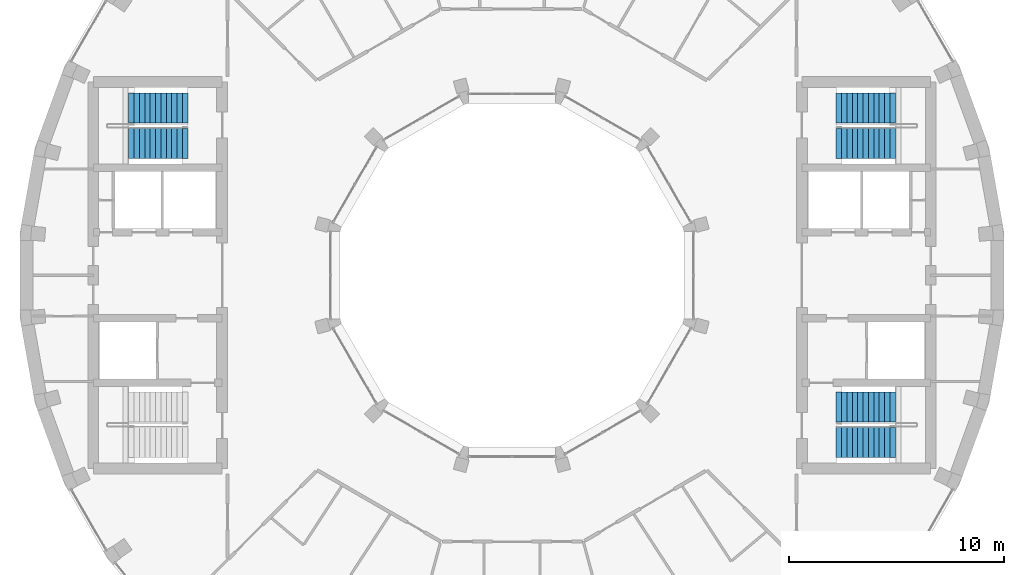
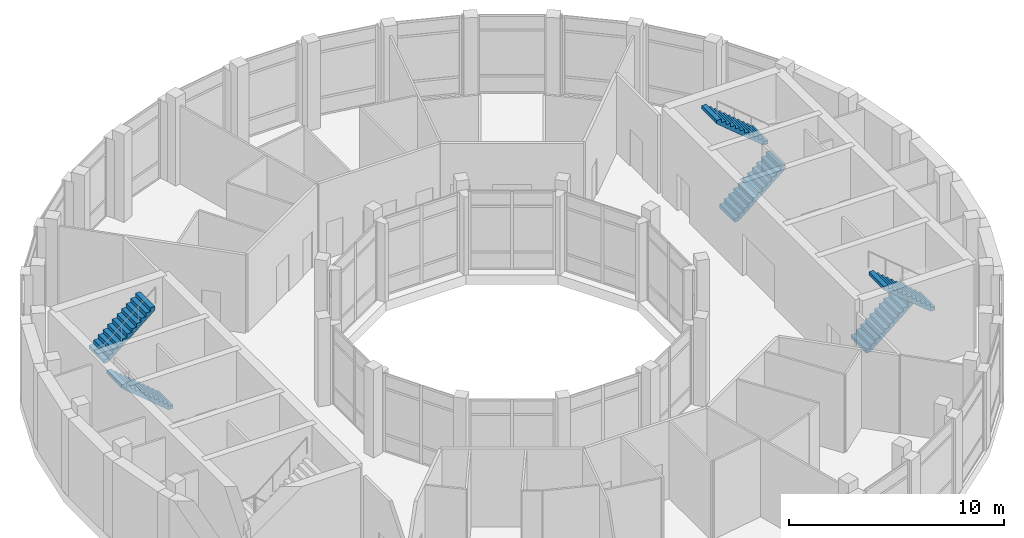
# One storey, part 15 of 16: 6 stair flights, 3 elements without a shape of their own.
"""IFC4 building model written with IfcOpenShell, lengths in metres."""

import ifcopenshell
import ifcopenshell.guid

model = None  # the IFC model being written
_history = None  # IfcOwnerHistory: only IFC2X3 demands one
_inside = {}  # id of a spatial element -> (the spatial element, [elements in it])
_under = {}  # id of a project, library or spatial element -> (it, [spatial elements below it])
_declared = {}  # id of a project -> (the project, [libraries it declares])
_typed = {}  # id of a type object -> (the type object, [elements of that type])
_made_of = {}  # id of a material, layer set ... -> (it, [elements and type objects made of it])


def new_model(schema):
    """Start an empty IFC model of exactly this schema.

    Asked for "IFC4X3", IfcOpenShell would pick the latest addendum, in which some entities
    have other attributes; the version numbers below select the first issue.
    IFC2X3 requires an IfcOwnerHistory on every rooted entity: one is made here for all.
    """
    global model, _history
    if schema == "IFC4X3":
        model = ifcopenshell.file(schema_version=(4, 3, 0, 0))
    else:
        model = ifcopenshell.file(schema=schema)
    _inside.clear()
    _under.clear()
    _declared.clear()
    _typed.clear()
    _made_of.clear()
    _history = None
    if model.schema == "IFC2X3":
        org = make("IfcOrganization", Name="unknown")
        user = make(
            "IfcPersonAndOrganization",
            ThePerson=make("IfcPerson", FamilyName="unknown"),
            TheOrganization=org,
        )
        app = make(
            "IfcApplication",
            ApplicationDeveloper=org,
            Version="unknown",
            ApplicationFullName="unknown",
            ApplicationIdentifier="unknown",
        )
        _history = make(
            "IfcOwnerHistory",
            OwningUser=user,
            OwningApplication=app,
            ChangeAction="ADDED",
            CreationDate=0,
        )
    return model


def make(cls, **values):
    """One entity of the class cls with the attributes given. An attribute that is None is left unset."""
    return model.create_entity(
        cls, **{name: value for name, value in values.items() if value is not None}
    )


def rooted(cls, **values):
    """An entity with a GlobalId (a new one), such as an element, a storey or a relation."""
    return make(cls, GlobalId=ifcopenshell.guid.new(), OwnerHistory=_history, **values)


def si_unit(unit_type, name, prefix=None):
    """IfcSIUnit, for example si_unit("LENGTHUNIT", "METRE", prefix="MILLI")."""
    return make("IfcSIUnit", UnitType=unit_type, Prefix=prefix, Name=name)


def assignment(units):
    """IfcUnitAssignment: the units of a project."""
    return None if units is None else make("IfcUnitAssignment", Units=units)


def point(xyz):
    """IfcCartesianPoint."""
    return None if xyz is None else make("IfcCartesianPoint", Coordinates=xyz)


def direction(xyz):
    """IfcDirection."""
    return None if xyz is None else make("IfcDirection", DirectionRatios=xyz)


def frame(location, z_axis=None, x_axis=None):
    """IfcAxis2Placement3D, a coordinate frame: its origin and axes. An axis left out is left unset."""
    return make(
        "IfcAxis2Placement3D",
        Location=point(location),
        Axis=direction(z_axis),
        RefDirection=direction(x_axis),
    )


def origin():
    """The frame at (0, 0, 0) with its axes left unset."""
    return frame((0.0, 0.0, 0.0))


def place(relative_to, where):
    """IfcLocalPlacement: puts the frame where relative to a parent placement (None: the world)."""
    return make(
        "IfcLocalPlacement", PlacementRelTo=relative_to, RelativePlacement=where
    )


def context(
    kind, dimensions, precision=None, world=None, true_north=None, identifier=None
):
    """IfcGeometricRepresentationContext, for example the 3D "Model" context."""
    return make(
        "IfcGeometricRepresentationContext",
        ContextIdentifier=identifier,
        ContextType=kind,
        CoordinateSpaceDimension=dimensions,
        Precision=precision,
        WorldCoordinateSystem=world,
        TrueNorth=true_north,
    )


def subcontext(parent, identifier, kind, view, scale=None):
    """IfcGeometricRepresentationSubContext, for example "Body" below "Model"."""
    return make(
        "IfcGeometricRepresentationSubContext",
        ContextIdentifier=identifier,
        ContextType=kind,
        ParentContext=parent,
        TargetScale=scale,
        TargetView=view,
    )


def project(units=None, contexts=None):
    """IfcProject with its units and contexts."""
    return rooted(
        "IfcProject",
        Name="project",
        RepresentationContexts=contexts,
        UnitsInContext=assignment(units),
    )


def spatial(cls, under=None, at=None, **own):
    """A site, building, storey or space (cls), placed at a placement, below another one or the project."""
    s = rooted(cls, ObjectPlacement=at, **own)
    if under is not None:
        _under.setdefault(under.id(), (under, []))[1].append(s)
    return s


def polyline(points):
    """IfcPolyline through the points."""
    return make("IfcPolyline", Points=[point(p) for p in points])


def outline(outer, holes=None, kind="AREA"):
    """IfcArbitraryClosedProfileDef: a profile drawn as a closed curve; with holes, ...WithVoids."""
    if holes is None:
        return make("IfcArbitraryClosedProfileDef", ProfileType=kind, OuterCurve=outer)
    return make(
        "IfcArbitraryProfileDefWithVoids",
        ProfileType=kind,
        OuterCurve=outer,
        InnerCurves=holes,
    )


def extrude(swept, where, along, depth):
    """IfcExtrudedAreaSolid: the profile swept, set in the frame where, extruded along a direction by depth."""
    return make(
        "IfcExtrudedAreaSolid",
        SweptArea=swept,
        Position=where,
        ExtrudedDirection=direction(along),
        Depth=depth,
    )


def shape(context_of_items, identifier, shape_type, items):
    """IfcShapeRepresentation: the items that make up one representation, for example the "Body"."""
    return make(
        "IfcShapeRepresentation",
        ContextOfItems=context_of_items,
        RepresentationIdentifier=identifier,
        RepresentationType=shape_type,
        Items=items,
    )


def material(Name=None, Category=None):
    """IfcMaterial."""
    return make("IfcMaterial", Name=Name, Category=Category)


def made_of(thing, what):
    """Note that an element or type object is made of a material, layer set ...; save() writes the relation."""
    if what is not None:
        _made_of.setdefault(what.id(), (what, []))[1].append(thing)
    return thing


def type_object(cls, material=None, **own):
    """A type object (cls), such as IfcWallType, which elements share."""
    return made_of(rooted(cls, **own), material)


def element(
    cls,
    number,
    at=None,
    inside=None,
    cuts=None,
    type_object=None,
    material=None,
    context=None,
    identifier="Body",
    shape_type=None,
    held_by="IfcProductDefinitionShape",
    body=None,
    shapes=None,
    **own,
):
    """One element of the class cls, such as IfcWall. Its Tag is "e" and its number.

    at: its placement. inside: the storey or other place that contains it. cuts: it is an
    opening in that element (IfcRelVoidsElement). A single representation is given by context,
    identifier, shape_type and body (its items); several are given by shapes. held_by: the class
    of the entity that holds the representations. save() writes the other relations.
    """
    e = rooted(cls, Tag="e%d" % number, ObjectPlacement=at, **own)
    if body is not None:
        shapes = [shape(context, identifier, shape_type, body)]
    if shapes is not None:
        e.Representation = make(held_by, Representations=shapes)
    if inside is not None:
        _inside.setdefault(inside.id(), (inside, []))[1].append(e)
    if cuts is not None:
        rooted(
            "IfcRelVoidsElement", RelatingBuildingElement=cuts, RelatedOpeningElement=e
        )
    if type_object is not None:
        _typed.setdefault(type_object.id(), (type_object, []))[1].append(e)
    return made_of(e, material)


def aggregate(whole, parts):
    """IfcRelAggregates: a whole, such as a stair, and the parts it consists of."""
    return rooted("IfcRelAggregates", RelatingObject=whole, RelatedObjects=parts)


def save(model, path):
    """Write the relations noted so far, then the file.

    IfcRelAggregates (storeys below a building ...), IfcRelContainedInSpatialStructure (elements
    in a storey), IfcRelDefinesByType, IfcRelAssociatesMaterial and IfcRelDeclares: one each for
    every whole, place, type object, material and project.
    """
    for whole, parts in _under.values():
        aggregate(whole, parts)
    for where, things in _inside.values():
        rooted(
            "IfcRelContainedInSpatialStructure",
            RelatedElements=things,
            RelatingStructure=where,
        )
    for kind, things in _typed.values():
        rooted("IfcRelDefinesByType", RelatedObjects=things, RelatingType=kind)
    for what, things in _made_of.values():
        rooted("IfcRelAssociatesMaterial", RelatedObjects=things, RelatingMaterial=what)
    for by, libraries in _declared.values():
        rooted("IfcRelDeclares", RelatingContext=by, RelatedDefinitions=libraries)
    model.write(path)


model = new_model("IFC4")

# Units and contexts
model_context = context("Model", 3, precision=1e-05, world=origin(), true_north=direction((0.0, 1.0)))
body_context = subcontext(model_context, "Body", "Model", "MODEL_VIEW")
ifc_project = project(units=[si_unit("LENGTHUNIT", "METRE"), si_unit("AREAUNIT", "SQUARE_METRE"), si_unit("VOLUMEUNIT", "CUBIC_METRE"), si_unit("PLANEANGLEUNIT", "RADIAN"), si_unit("MASSUNIT", "GRAM", prefix="KILO")], contexts=[model_context])

# Site, building, storey
site_placement = place(None, origin())
site = spatial("IfcSite", under=ifc_project, at=site_placement, CompositionType="ELEMENT")
building_placement = place(site_placement, origin())
building = spatial("IfcBuilding", under=site, at=building_placement, Name="Saqina Gate Tower", CompositionType="ELEMENT")
storey_placement = place(building_placement, frame((0.0, 0.0, 279.199951171875)))
storey = spatial("IfcBuildingStorey", under=building, at=storey_placement, Name="L80", CompositionType="ELEMENT", Elevation=279.199951171875)

# Stair, stair flights
ifc_material_1 = material(Name="Concrete C40/50", Category="concrete")
stair_type = type_object("IfcStairType", Name="EXIT STAIR", PredefinedType="HALF_TURN_STAIR", material=ifc_material_1)
stair_1_placement = place(storey_placement, origin())
stair_1 = element("IfcStair", 1, at=stair_1_placement, inside=storey, type_object=stair_type, Name="EXIT STAIR 1", PredefinedType="HALF_TURN_STAIR")
ifc_material_2 = material(Name="Concrete C40/50", Category="concrete")
stair_flight_type = type_object("IfcStairFlightType", Name="EXIT STAIR FLIGHT", PredefinedType="STRAIGHT", material=ifc_material_2)
stair_flight_1_placement = place(storey_placement, frame((15.10009765625, 6.13330078125, 0.0), z_axis=(0.0, 0.0, 1.0), x_axis=(1.0, 0.0, 0.0)))
stair_flight_1 = element("IfcStairFlight", 2, at=stair_flight_1_placement, type_object=stair_flight_type, Name="EXIT STAIR 1 FLIGHT 1", NumberOfRisers=12, NumberOfTreads=11, PredefinedType="STRAIGHT", RiserHeight=0.208333333, TreadLength=0.25, context=body_context, shape_type="SweptSolid", body=[
    extrude(outline(polyline([(0.0, 0.0), (0.0, 0.208251953125), (0.25, 0.208251953125), (0.25, 0.416748046875), (0.5, 0.416748046875), (0.5, 0.625), (0.75, 0.625), (0.75, 0.833251953125), (1.0, 0.833251953125), (1.0, 1.041748046875), (1.25, 1.041748046875), (1.25, 1.25), (1.5, 1.25), (1.5, 1.458251953125), (1.75, 1.458251953125), (1.75, 1.666748046875), (2.0, 1.666748046875), (2.0, 1.875), (2.25, 1.875), (2.25, 2.083251953125), (2.5, 2.083251953125), (2.5, 2.291748046875), (2.75, 2.291748046875), (2.75, 2.5), (2.75, 2.096435546875), (0.234130859375, 0.0), (0.0, 0.0)])), frame((0.0, 0.699951171875, 0.0), z_axis=(0.0, -1.0, 0.0), x_axis=(1.0, 0.0, 0.0)), (0.0, 0.0, 1.0), 1.39990234375),
])
stair_flight_2_placement = place(storey_placement, frame((17.85009765625, 7.791748046875, 2.5), z_axis=(0.0, 0.0, 1.0), x_axis=(-1.0, 0.0, 0.0)))
stair_flight_2 = element("IfcStairFlight", 3, at=stair_flight_2_placement, type_object=stair_flight_type, Name="EXIT STAIR 1 FLIGHT 2", NumberOfRisers=12, NumberOfTreads=11, PredefinedType="STRAIGHT", RiserHeight=0.208333333, TreadLength=0.25, context=body_context, shape_type="SweptSolid", body=[
    extrude(outline(polyline([(0.0, 0.0), (0.0, 0.208251953125), (0.25, 0.208251953125), (0.25, 0.416748046875), (0.5, 0.416748046875), (0.5, 0.625), (0.75, 0.625), (0.75, 0.833251953125), (1.0, 0.833251953125), (1.0, 1.041748046875), (1.25, 1.041748046875), (1.25, 1.25), (1.5, 1.25), (1.5, 1.458251953125), (1.75, 1.458251953125), (1.75, 1.666748046875), (2.0, 1.666748046875), (2.0, 1.875), (2.25, 1.875), (2.25, 2.083251953125), (2.5, 2.083251953125), (2.5, 2.291748046875), (2.75, 2.291748046875), (2.75, 2.5), (2.75, 2.096435546875), (0.234130859375, 0.0), (0.0, 0.0)])), frame((0.0, 0.699951171875, 0.0), z_axis=(0.0, -1.0, 0.0), x_axis=(1.0, 0.0, 0.0)), (0.0, 0.0, 1.0), 1.39990234375),
])
aggregate(stair_1, [stair_flight_1, stair_flight_2])

stair_2_placement = place(storey_placement, origin())
stair_2 = element("IfcStair", 4, at=stair_2_placement, inside=storey, type_object=stair_type, Name="EXIT STAIR 2", PredefinedType="HALF_TURN_STAIR")
stair_flight_3_placement = place(storey_placement, frame((15.10009765625, -6.13330078125, 0.0), z_axis=(0.0, 0.0, 1.0), x_axis=(1.0, 0.0, 0.0)))
stair_flight_3 = element("IfcStairFlight", 5, at=stair_flight_3_placement, type_object=stair_flight_type, Name="EXIT STAIR 2 FLIGHT 1", NumberOfRisers=12, NumberOfTreads=11, PredefinedType="STRAIGHT", RiserHeight=0.208333333, TreadLength=0.25, context=body_context, shape_type="SweptSolid", body=[
    extrude(outline(polyline([(0.0, 0.0), (0.0, 0.208251953125), (0.25, 0.208251953125), (0.25, 0.416748046875), (0.5, 0.416748046875), (0.5, 0.625), (0.75, 0.625), (0.75, 0.833251953125), (1.0, 0.833251953125), (1.0, 1.041748046875), (1.25, 1.041748046875), (1.25, 1.25), (1.5, 1.25), (1.5, 1.458251953125), (1.75, 1.458251953125), (1.75, 1.666748046875), (2.0, 1.666748046875), (2.0, 1.875), (2.25, 1.875), (2.25, 2.083251953125), (2.5, 2.083251953125), (2.5, 2.291748046875), (2.75, 2.291748046875), (2.75, 2.5), (2.75, 2.096435546875), (0.234130859375, 0.0), (0.0, 0.0)])), frame((0.0, 0.699951171875, 0.0), z_axis=(0.0, -1.0, 0.0), x_axis=(1.0, 0.0, 0.0)), (0.0, 0.0, 1.0), 1.39990234375),
])
stair_flight_4_placement = place(storey_placement, frame((17.85009765625, -7.791748046875, 2.5), z_axis=(0.0, 0.0, 1.0), x_axis=(-1.0, 0.0, 0.0)))
stair_flight_4 = element("IfcStairFlight", 6, at=stair_flight_4_placement, type_object=stair_flight_type, Name="EXIT STAIR 2 FLIGHT 2", NumberOfRisers=12, NumberOfTreads=11, PredefinedType="STRAIGHT", RiserHeight=0.208333333, TreadLength=0.25, context=body_context, shape_type="SweptSolid", body=[
    extrude(outline(polyline([(0.0, 0.0), (0.0, 0.208251953125), (0.25, 0.208251953125), (0.25, 0.416748046875), (0.5, 0.416748046875), (0.5, 0.625), (0.75, 0.625), (0.75, 0.833251953125), (1.0, 0.833251953125), (1.0, 1.041748046875), (1.25, 1.041748046875), (1.25, 1.25), (1.5, 1.25), (1.5, 1.458251953125), (1.75, 1.458251953125), (1.75, 1.666748046875), (2.0, 1.666748046875), (2.0, 1.875), (2.25, 1.875), (2.25, 2.083251953125), (2.5, 2.083251953125), (2.5, 2.291748046875), (2.75, 2.291748046875), (2.75, 2.5), (2.75, 2.096435546875), (0.234130859375, 0.0), (0.0, 0.0)])), frame((0.0, 0.699951171875, 0.0), z_axis=(0.0, -1.0, 0.0), x_axis=(1.0, 0.0, 0.0)), (0.0, 0.0, 1.0), 1.39990234375),
])
aggregate(stair_2, [stair_flight_3, stair_flight_4])

stair_3_placement = place(storey_placement, origin())
stair_3 = element("IfcStair", 7, at=stair_3_placement, inside=storey, type_object=stair_type, Name="EXIT STAIR 3", PredefinedType="HALF_TURN_STAIR")
stair_flight_5_placement = place(storey_placement, frame((-15.10009765625, 6.13330078125, 0.0), z_axis=(0.0, 0.0, 1.0), x_axis=(-1.0, 0.0, 0.0)))
stair_flight_5 = element("IfcStairFlight", 8, at=stair_flight_5_placement, type_object=stair_flight_type, Name="EXIT STAIR 3 FLIGHT 1", NumberOfRisers=12, NumberOfTreads=11, PredefinedType="STRAIGHT", RiserHeight=0.208333333, TreadLength=0.25, context=body_context, shape_type="SweptSolid", body=[
    extrude(outline(polyline([(0.0, 0.0), (0.0, 0.208251953125), (0.25, 0.208251953125), (0.25, 0.416748046875), (0.5, 0.416748046875), (0.5, 0.625), (0.75, 0.625), (0.75, 0.833251953125), (1.0, 0.833251953125), (1.0, 1.041748046875), (1.25, 1.041748046875), (1.25, 1.25), (1.5, 1.25), (1.5, 1.458251953125), (1.75, 1.458251953125), (1.75, 1.666748046875), (2.0, 1.666748046875), (2.0, 1.875), (2.25, 1.875), (2.25, 2.083251953125), (2.5, 2.083251953125), (2.5, 2.291748046875), (2.75, 2.291748046875), (2.75, 2.5), (2.75, 2.096435546875), (0.234130859375, 0.0), (0.0, 0.0)])), frame((0.0, 0.699951171875, 0.0), z_axis=(0.0, -1.0, 0.0), x_axis=(1.0, 0.0, 0.0)), (0.0, 0.0, 1.0), 1.39990234375),
])
stair_flight_6_placement = place(storey_placement, frame((-17.85009765625, 7.791748046875, 2.5), z_axis=(0.0, 0.0, 1.0), x_axis=(1.0, 0.0, 0.0)))
stair_flight_6 = element("IfcStairFlight", 9, at=stair_flight_6_placement, type_object=stair_flight_type, Name="EXIT STAIR 3 FLIGHT 2", NumberOfRisers=12, NumberOfTreads=11, PredefinedType="STRAIGHT", RiserHeight=0.208333333, TreadLength=0.25, context=body_context, shape_type="SweptSolid", body=[
    extrude(outline(polyline([(0.0, 0.0), (0.0, 0.208251953125), (0.25, 0.208251953125), (0.25, 0.416748046875), (0.5, 0.416748046875), (0.5, 0.625), (0.75, 0.625), (0.75, 0.833251953125), (1.0, 0.833251953125), (1.0, 1.041748046875), (1.25, 1.041748046875), (1.25, 1.25), (1.5, 1.25), (1.5, 1.458251953125), (1.75, 1.458251953125), (1.75, 1.666748046875), (2.0, 1.666748046875), (2.0, 1.875), (2.25, 1.875), (2.25, 2.083251953125), (2.5, 2.083251953125), (2.5, 2.291748046875), (2.75, 2.291748046875), (2.75, 2.5), (2.75, 2.096435546875), (0.234130859375, 0.0), (0.0, 0.0)])), frame((0.0, 0.699951171875, 0.0), z_axis=(0.0, -1.0, 0.0), x_axis=(1.0, 0.0, 0.0)), (0.0, 0.0, 1.0), 1.39990234375),
])
aggregate(stair_3, [stair_flight_5, stair_flight_6])

save(model, "model.ifc")
